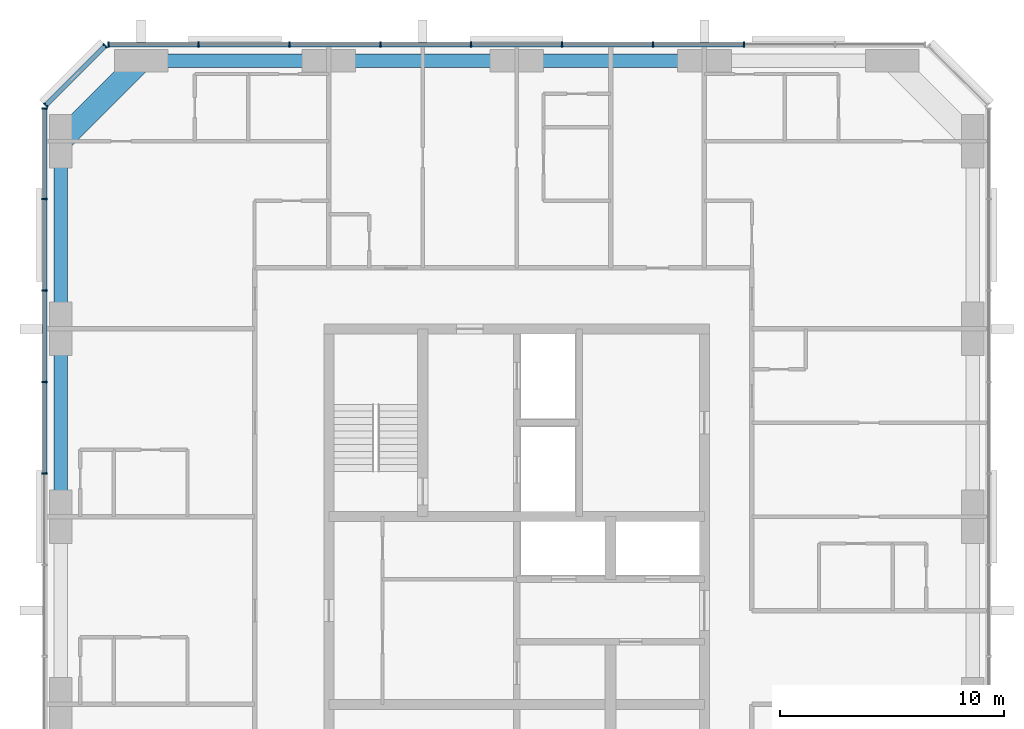
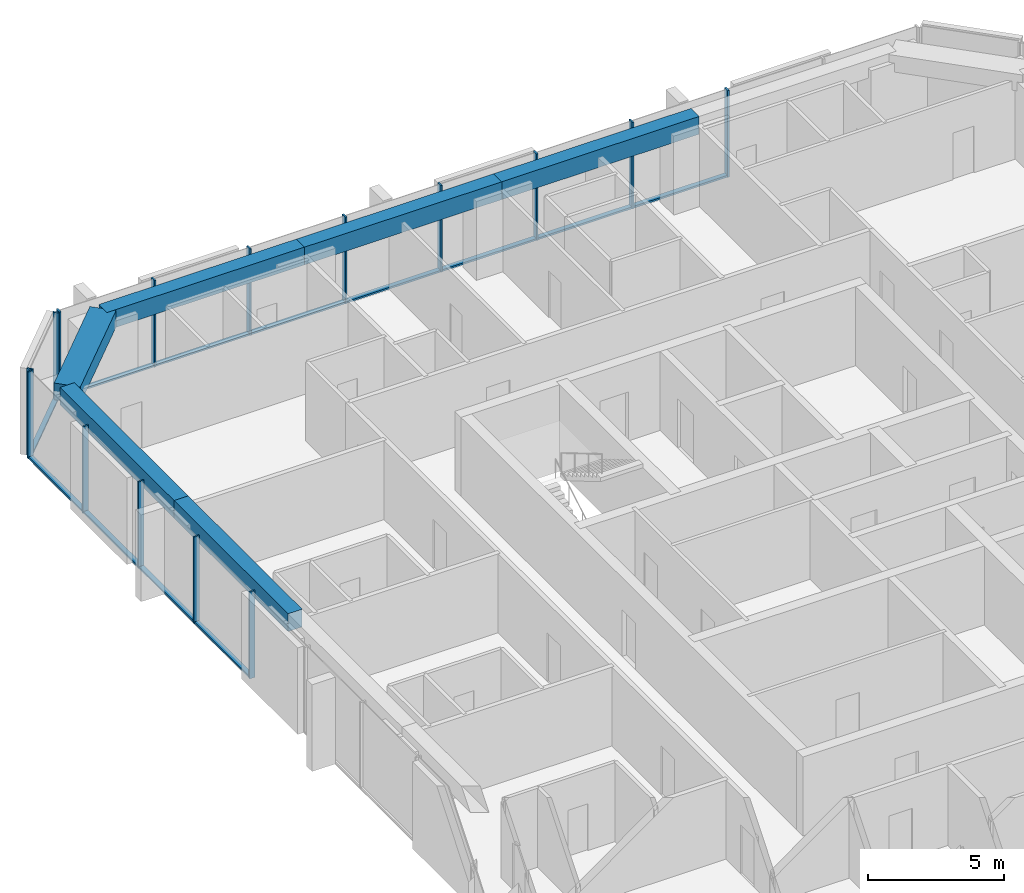
# One storey, part 4 of 12: 27 members, 6 beams, 3 elements without a shape of their own.
"""IFC4 building model written with IfcOpenShell, lengths in metres."""

from ifc_helpers import new_model, si_unit, direction, frame, origin, origin_2d, place, context, subcontext, project, spatial, rectangle, extrude, material, material_profile, profile_set, type_object, element, aggregate, save


model = new_model("IFC4")

# Units and contexts
model_context = context("Model", 3, precision=1e-05, world=origin(), true_north=direction((0.0, 1.0)))
body_context = subcontext(model_context, "Body", "Model", "MODEL_VIEW")
ifc_project = project(units=[si_unit("LENGTHUNIT", "METRE"), si_unit("AREAUNIT", "SQUARE_METRE"), si_unit("VOLUMEUNIT", "CUBIC_METRE"), si_unit("PLANEANGLEUNIT", "RADIAN"), si_unit("MASSUNIT", "GRAM", prefix="KILO")], contexts=[model_context])

# Site, building, storey
site_placement = place(None, origin())
site = spatial("IfcSite", under=ifc_project, at=site_placement, CompositionType="ELEMENT")
building_placement = place(site_placement, origin())
building = spatial("IfcBuilding", under=site, at=building_placement, Name="Dunama Terrace Hotel", CompositionType="ELEMENT")
storey_placement = place(building_placement, frame((0.0, 0.0, 249.0)))
storey = spatial("IfcBuildingStorey", under=building, at=storey_placement, Name="L64", CompositionType="ELEMENT", Elevation=249.0)

# Curtain wall, members
ifc_material_1 = material(Name="Aluminium curtain wall system", Category="aluminium")
curtain_wall_type = type_object("IfcCurtainWallType", Name="Unitised fritted glass wall CW-D", PredefinedType="NOTDEFINED", material=ifc_material_1)
curtain_wall_1_placement = place(storey_placement, origin())
curtain_wall_1 = element("IfcCurtainWall", 1, at=curtain_wall_1_placement, inside=storey, type_object=curtain_wall_type, Name="Unitised fritted glass wall CW-D L64", PredefinedType="NOTDEFINED")
ifc_material_2 = material(Name="Aluminium mullion", Category="aluminium")
ifc_material_profile_1 = material_profile(ifc_material_2, rectangle(XDim=0.070068359375, YDim=0.239990234375, at=origin_2d()), Name="CWD MULLION 70X240")
ifc_profile_set_1 = profile_set([ifc_material_profile_1], Name="Aluminium mullion")
member_type_1 = type_object("IfcMemberType", Name="CWD mullion 70x240", PredefinedType="MULLION", material=ifc_profile_set_1)
member_1_placement = place(storey_placement, frame((43.76708984375, 54.719970703125, 0.0), z_axis=(0.0, 0.0, 1.0), x_axis=(-1.0, 0.0, 0.0)))
member_1 = element("IfcMember", 2, at=member_1_placement, type_object=member_type_1, Name="CWD mullion", PredefinedType="MULLION", context=body_context, shape_type="SweptSolid", body=[
    extrude(rectangle(XDim=0.070068359375, YDim=0.239990234375, at=origin_2d()), origin(), (0.0, 0.0, 1.0), 3.89990234375),
])
member_2_placement = place(storey_placement, frame((39.699951171875, 54.719970703125, 0.0), z_axis=(0.0, 0.0, 1.0), x_axis=(-1.0, 0.0, 0.0)))
member_2 = element("IfcMember", 3, at=member_2_placement, type_object=member_type_1, Name="CWD mullion", PredefinedType="MULLION", context=body_context, shape_type="SweptSolid", body=[
    extrude(rectangle(XDim=0.070068359375, YDim=0.239990234375, at=origin_2d()), origin(), (0.0, 0.0, 1.0), 3.89990234375),
])
member_3_placement = place(storey_placement, frame((35.633056640625, 54.719970703125, 0.0), z_axis=(0.0, 0.0, 1.0), x_axis=(-1.0, 0.0, 0.0)))
member_3 = element("IfcMember", 4, at=member_3_placement, type_object=member_type_1, Name="CWD mullion", PredefinedType="MULLION", context=body_context, shape_type="SweptSolid", body=[
    extrude(rectangle(XDim=0.070068359375, YDim=0.239990234375, at=origin_2d()), origin(), (0.0, 0.0, 1.0), 3.89990234375),
])
member_4_placement = place(storey_placement, frame((31.56689453125, 54.719970703125, 0.0), z_axis=(0.0, 0.0, 1.0), x_axis=(-1.0, 0.0, 0.0)))
member_4 = element("IfcMember", 5, at=member_4_placement, type_object=member_type_1, Name="CWD mullion", PredefinedType="MULLION", context=body_context, shape_type="SweptSolid", body=[
    extrude(rectangle(XDim=0.070068359375, YDim=0.239990234375, at=origin_2d()), origin(), (0.0, 0.0, 1.0), 3.89990234375),
])
member_5_placement = place(storey_placement, frame((27.5, 54.719970703125, 0.0), z_axis=(0.0, 0.0, 1.0), x_axis=(-1.0, 0.0, 0.0)))
member_5 = element("IfcMember", 6, at=member_5_placement, type_object=member_type_1, Name="CWD mullion", PredefinedType="MULLION", context=body_context, shape_type="SweptSolid", body=[
    extrude(rectangle(XDim=0.070068359375, YDim=0.239990234375, at=origin_2d()), origin(), (0.0, 0.0, 1.0), 3.89990234375),
])
member_6_placement = place(storey_placement, frame((23.43310546875, 54.719970703125, 0.0), z_axis=(0.0, 0.0, 1.0), x_axis=(-1.0, 0.0, 0.0)))
member_6 = element("IfcMember", 7, at=member_6_placement, type_object=member_type_1, Name="CWD mullion", PredefinedType="MULLION", context=body_context, shape_type="SweptSolid", body=[
    extrude(rectangle(XDim=0.070068359375, YDim=0.239990234375, at=origin_2d()), origin(), (0.0, 0.0, 1.0), 3.89990234375),
])
member_7_placement = place(storey_placement, frame((19.366943359375, 54.719970703125, 0.0), z_axis=(0.0, 0.0, 1.0), x_axis=(-1.0, 0.0, 0.0)))
member_7 = element("IfcMember", 8, at=member_7_placement, type_object=member_type_1, Name="CWD mullion", PredefinedType="MULLION", context=body_context, shape_type="SweptSolid", body=[
    extrude(rectangle(XDim=0.070068359375, YDim=0.239990234375, at=origin_2d()), origin(), (0.0, 0.0, 1.0), 3.89990234375),
])
member_8_placement = place(storey_placement, frame((15.3349609375, 54.719970703125, 0.0), z_axis=(0.0, 0.0, 1.0), x_axis=(-1.0, 0.0, 0.0)))
member_8 = element("IfcMember", 9, at=member_8_placement, type_object=member_type_1, Name="CWD mullion", PredefinedType="MULLION", context=body_context, shape_type="SweptSolid", body=[
    extrude(rectangle(XDim=0.070068359375, YDim=0.239990234375, at=origin_2d()), origin(), (0.0, 0.0, 1.0), 3.89990234375),
])

curtain_wall_2_placement = place(storey_placement, origin())
curtain_wall_2 = element("IfcCurtainWall", 10, at=curtain_wall_2_placement, inside=storey, type_object=curtain_wall_type, Name="Unitised fritted glass wall CW-D L64", PredefinedType="NOTDEFINED")
member_9_placement = place(storey_placement, frame((15.18994140625, 54.659912109375, 0.0), z_axis=(0.0, 0.0, 1.0), x_axis=(-0.707106781187, -0.707106781187, 0.0)))
member_9 = element("IfcMember", 11, at=member_9_placement, type_object=member_type_1, Name="CWD mullion", PredefinedType="MULLION", context=body_context, shape_type="SweptSolid", body=[
    extrude(rectangle(XDim=0.070068359375, YDim=0.239990234375, at=origin_2d()), origin(), (0.0, 0.0, 1.0), 3.89990234375),
])
member_10_placement = place(storey_placement, frame((12.5400390625, 52.010009765625, 0.0), z_axis=(0.0, 0.0, 1.0), x_axis=(-0.707106781187, -0.707106781187, 0.0)))
member_10 = element("IfcMember", 12, at=member_10_placement, type_object=member_type_1, Name="CWD mullion", PredefinedType="MULLION", context=body_context, shape_type="SweptSolid", body=[
    extrude(rectangle(XDim=0.070068359375, YDim=0.239990234375, at=origin_2d()), origin(), (0.0, 0.0, 1.0), 3.89990234375),
])

curtain_wall_3_placement = place(storey_placement, origin())
curtain_wall_3 = element("IfcCurtainWall", 13, at=curtain_wall_3_placement, inside=storey, type_object=curtain_wall_type, Name="Unitised fritted glass wall CW-D L64", PredefinedType="NOTDEFINED")
member_11_placement = place(storey_placement, frame((12.47998046875, 51.864990234375, 0.0), z_axis=(0.0, 0.0, 1.0), x_axis=(0.0, -1.0, 0.0)))
member_11 = element("IfcMember", 14, at=member_11_placement, type_object=member_type_1, Name="CWD mullion", PredefinedType="MULLION", context=body_context, shape_type="SweptSolid", body=[
    extrude(rectangle(XDim=0.070068359375, YDim=0.239990234375, at=origin_2d()), origin(), (0.0, 0.0, 1.0), 3.89990234375),
])
member_12_placement = place(storey_placement, frame((12.47998046875, 47.80908203125, 0.0), z_axis=(0.0, 0.0, 1.0), x_axis=(0.0, -1.0, 0.0)))
member_12 = element("IfcMember", 15, at=member_12_placement, type_object=member_type_1, Name="CWD mullion", PredefinedType="MULLION", context=body_context, shape_type="SweptSolid", body=[
    extrude(rectangle(XDim=0.070068359375, YDim=0.239990234375, at=origin_2d()), origin(), (0.0, 0.0, 1.0), 3.89990234375),
])
member_13_placement = place(storey_placement, frame((12.47998046875, 43.718017578125, 0.0), z_axis=(0.0, 0.0, 1.0), x_axis=(0.0, -1.0, 0.0)))
member_13 = element("IfcMember", 16, at=member_13_placement, type_object=member_type_1, Name="CWD mullion", PredefinedType="MULLION", context=body_context, shape_type="SweptSolid", body=[
    extrude(rectangle(XDim=0.070068359375, YDim=0.239990234375, at=origin_2d()), origin(), (0.0, 0.0, 1.0), 3.89990234375),
])
member_14_placement = place(storey_placement, frame((12.47998046875, 39.626953125, 0.0), z_axis=(0.0, 0.0, 1.0), x_axis=(0.0, -1.0, 0.0)))
member_14 = element("IfcMember", 17, at=member_14_placement, type_object=member_type_1, Name="CWD mullion", PredefinedType="MULLION", context=body_context, shape_type="SweptSolid", body=[
    extrude(rectangle(XDim=0.070068359375, YDim=0.239990234375, at=origin_2d()), origin(), (0.0, 0.0, 1.0), 3.89990234375),
])
member_15_placement = place(storey_placement, frame((12.47998046875, 35.535888671875, 0.0), z_axis=(0.0, 0.0, 1.0), x_axis=(0.0, -1.0, 0.0)))
member_15 = element("IfcMember", 18, at=member_15_placement, type_object=member_type_1, Name="CWD mullion", PredefinedType="MULLION", context=body_context, shape_type="SweptSolid", body=[
    extrude(rectangle(XDim=0.070068359375, YDim=0.239990234375, at=origin_2d()), origin(), (0.0, 0.0, 1.0), 3.89990234375),
])

# Member
ifc_material_3 = material(Name="Aluminium transom", Category="aluminium")
ifc_material_profile_2 = material_profile(ifc_material_3, rectangle(XDim=0.199951171875, YDim=0.0849609375, at=origin_2d()), Name="CWD TRANSOM 200X85")
ifc_profile_set_2 = profile_set([ifc_material_profile_2], Name="Aluminium transom")
member_type_2 = type_object("IfcMemberType", Name="CWD transom 200x85", PredefinedType="USERDEFINED", material=ifc_profile_set_2)
member_16_placement = place(storey_placement, frame((43.73193359375, 54.719970703125, 0.04248046875), z_axis=(-1.0, 0.0, 0.0), x_axis=(0.0, -1.0, 0.0)))
member_16 = element("IfcMember", 19, at=member_16_placement, type_object=member_type_2, Name="CWD transom", ObjectType="TRANSOM", PredefinedType="USERDEFINED", context=body_context, shape_type="SweptSolid", body=[
    extrude(rectangle(XDim=0.199951171875, YDim=0.0849609375, at=origin_2d()), origin(), (0.0, 0.0, 1.0), 3.996826171875),
])

member_17_placement = place(storey_placement, frame((39.6650390625, 54.719970703125, 0.04248046875), z_axis=(-1.0, 0.0, 0.0), x_axis=(0.0, -1.0, 0.0)))
member_17 = element("IfcMember", 20, at=member_17_placement, type_object=member_type_2, Name="CWD transom", ObjectType="TRANSOM", PredefinedType="USERDEFINED", context=body_context, shape_type="SweptSolid", body=[
    extrude(rectangle(XDim=0.199951171875, YDim=0.0849609375, at=origin_2d()), origin(), (0.0, 0.0, 1.0), 3.9970703125),
])

member_18_placement = place(storey_placement, frame((35.597900390625, 54.719970703125, 0.04248046875), z_axis=(-1.0, 0.0, 0.0), x_axis=(0.0, -1.0, 0.0)))
member_18 = element("IfcMember", 21, at=member_18_placement, type_object=member_type_2, Name="CWD transom", ObjectType="TRANSOM", PredefinedType="USERDEFINED", context=body_context, shape_type="SweptSolid", body=[
    extrude(rectangle(XDim=0.199951171875, YDim=0.0849609375, at=origin_2d()), origin(), (0.0, 0.0, 1.0), 3.995849609375),
])

member_19_placement = place(storey_placement, frame((31.531982421875, 54.719970703125, 0.04248046875), z_axis=(-1.0, 0.0, 0.0), x_axis=(0.0, -1.0, 0.0)))
member_19 = element("IfcMember", 22, at=member_19_placement, type_object=member_type_2, Name="CWD transom", ObjectType="TRANSOM", PredefinedType="USERDEFINED", context=body_context, shape_type="SweptSolid", body=[
    extrude(rectangle(XDim=0.199951171875, YDim=0.0849609375, at=origin_2d()), origin(), (0.0, 0.0, 1.0), 3.9970703125),
])

member_20_placement = place(storey_placement, frame((27.465087890625, 54.719970703125, 0.04248046875), z_axis=(-1.0, 0.0, 0.0), x_axis=(0.0, -1.0, 0.0)))
member_20 = element("IfcMember", 23, at=member_20_placement, type_object=member_type_2, Name="CWD transom", ObjectType="TRANSOM", PredefinedType="USERDEFINED", context=body_context, shape_type="SweptSolid", body=[
    extrude(rectangle(XDim=0.199951171875, YDim=0.0849609375, at=origin_2d()), origin(), (0.0, 0.0, 1.0), 3.9970703125),
])

member_21_placement = place(storey_placement, frame((23.39794921875, 54.719970703125, 0.04248046875), z_axis=(-1.0, 0.0, 0.0), x_axis=(0.0, -1.0, 0.0)))
member_21 = element("IfcMember", 24, at=member_21_placement, type_object=member_type_2, Name="CWD transom", ObjectType="TRANSOM", PredefinedType="USERDEFINED", context=body_context, shape_type="SweptSolid", body=[
    extrude(rectangle(XDim=0.199951171875, YDim=0.0849609375, at=origin_2d()), origin(), (0.0, 0.0, 1.0), 3.995849609375),
])

member_22_placement = place(storey_placement, frame((19.33203125, 54.719970703125, 0.04248046875), z_axis=(-1.0, 0.0, 0.0), x_axis=(0.0, -1.0, 0.0)))
member_22 = element("IfcMember", 25, at=member_22_placement, type_object=member_type_2, Name="CWD transom", ObjectType="TRANSOM", PredefinedType="USERDEFINED", context=body_context, shape_type="SweptSolid", body=[
    extrude(rectangle(XDim=0.199951171875, YDim=0.0849609375, at=origin_2d()), origin(), (0.0, 0.0, 1.0), 3.9619140625),
])

aggregate(curtain_wall_1, [member_1, member_2, member_3, member_4, member_5, member_6, member_7, member_8, member_16, member_17, member_18, member_19, member_20, member_21, member_22])

member_23_placement = place(storey_placement, frame((15.166015625, 54.635009765625, 0.04248046875), z_axis=(-0.707106781187, -0.707106781187, 0.0), x_axis=(0.707106781187, -0.707106781187, 0.0)))
member_23 = element("IfcMember", 26, at=member_23_placement, type_object=member_type_2, Name="CWD transom", ObjectType="TRANSOM", PredefinedType="USERDEFINED", context=body_context, shape_type="SweptSolid", body=[
    extrude(rectangle(XDim=0.199951171875, YDim=0.0849609375, at=origin_2d()), origin(), (0.0, 0.0, 1.0), 3.678466796875),
])

aggregate(curtain_wall_2, [member_9, member_10, member_23])

member_24_placement = place(storey_placement, frame((12.47998046875, 51.830078125, 0.04248046875), z_axis=(0.0, -1.0, 0.0), x_axis=(1.0, 0.0, 0.0)))
member_24 = element("IfcMember", 27, at=member_24_placement, type_object=member_type_2, Name="CWD transom", ObjectType="TRANSOM", PredefinedType="USERDEFINED", context=body_context, shape_type="SweptSolid", body=[
    extrude(rectangle(XDim=0.199951171875, YDim=0.0849609375, at=origin_2d()), origin(), (0.0, 0.0, 1.0), 3.986083984375),
])

member_25_placement = place(storey_placement, frame((12.47998046875, 47.77392578125, 0.04248046875), z_axis=(0.0, -1.0, 0.0), x_axis=(1.0, 0.0, 0.0)))
member_25 = element("IfcMember", 28, at=member_25_placement, type_object=member_type_2, Name="CWD transom", ObjectType="TRANSOM", PredefinedType="USERDEFINED", context=body_context, shape_type="SweptSolid", body=[
    extrude(rectangle(XDim=0.199951171875, YDim=0.0849609375, at=origin_2d()), origin(), (0.0, 0.0, 1.0), 4.02099609375),
])

member_26_placement = place(storey_placement, frame((12.47998046875, 43.68310546875, 0.04248046875), z_axis=(0.0, -1.0, 0.0), x_axis=(1.0, 0.0, 0.0)))
member_26 = element("IfcMember", 29, at=member_26_placement, type_object=member_type_2, Name="CWD transom", ObjectType="TRANSOM", PredefinedType="USERDEFINED", context=body_context, shape_type="SweptSolid", body=[
    extrude(rectangle(XDim=0.199951171875, YDim=0.0849609375, at=origin_2d()), origin(), (0.0, 0.0, 1.0), 4.02099609375),
])

member_27_placement = place(storey_placement, frame((12.47998046875, 39.592041015625, 0.04248046875), z_axis=(0.0, -1.0, 0.0), x_axis=(1.0, 0.0, 0.0)))
member_27 = element("IfcMember", 30, at=member_27_placement, type_object=member_type_2, Name="CWD transom", ObjectType="TRANSOM", PredefinedType="USERDEFINED", context=body_context, shape_type="SweptSolid", body=[
    extrude(rectangle(XDim=0.199951171875, YDim=0.0849609375, at=origin_2d()), origin(), (0.0, 0.0, 1.0), 4.02099609375),
])

aggregate(curtain_wall_3, [member_11, member_12, member_13, member_14, member_15, member_24, member_25, member_26, member_27])

# Beams
ifc_material_4 = material(Name="Concrete C50/60", Category="concrete")
ifc_material_profile_3 = material_profile(ifc_material_4, rectangle(XDim=1.0, YDim=0.75, at=origin_2d()), Name="RC 1000x750")
ifc_profile_set_3 = profile_set([ifc_material_profile_3], Name="Concrete C50/60")
beam_type_1 = type_object("IfcBeamType", Name="Edge beam RC 1000x750", PredefinedType="SPANDREL", material=ifc_profile_set_3)
beam_1_placement = place(storey_placement, frame((16.800048828125, 54.0, 3.52490234375), z_axis=(-0.707106781187, -0.707106781187, 0.0), x_axis=(0.707106781187, -0.707106781187, 0.0)))
element("IfcBeam", 31, at=beam_1_placement, inside=storey, type_object=beam_type_1, Name="Corner edge beam under L65", PredefinedType="SPANDREL", context=body_context, shape_type="SweptSolid", body=[
    extrude(rectangle(XDim=1.0, YDim=0.75, at=origin_2d()), origin(), (0.0, 0.0, 1.0), 5.09130859375),
])
ifc_material_5 = material(Name="Concrete C40/50", Category="concrete")
ifc_material_profile_4 = material_profile(ifc_material_5, rectangle(XDim=0.60009765625, YDim=0.800048828125, at=origin_2d()), Name="RC 600x800")
ifc_profile_set_4 = profile_set([ifc_material_profile_4], Name="Concrete C40/50")
beam_type_2 = type_object("IfcBeamType", Name="Edge beam RC 600x800", PredefinedType="SPANDREL", material=ifc_profile_set_4)
for number, where, z_axis, x_axis, name in (
    (32, (13.199951171875, 33.60009765625, 3.5), (0.0, 1.0, 0.0), (-1.0, 0.0, 0.0), "Edge beam under L65"),
    (33, (13.199951171875, 42.0, 3.5), (0.0, 1.0, 0.0), (-1.0, 0.0, 0.0), "Edge beam under L65"),
    (34, (16.800048828125, 54.0, 3.5), (1.0, 0.0, 0.0), (0.0, 1.0, 0.0), "Edge beam under L65"),
):
    element("IfcBeam", number, at=place(storey_placement, frame(where, z_axis=z_axis, x_axis=x_axis)), inside=storey, type_object=beam_type_2, Name=name, PredefinedType="SPANDREL", context=body_context, shape_type="SweptSolid", body=[
        extrude(rectangle(XDim=0.60009765625, YDim=0.800048828125, at=origin_2d()), origin(), (0.0, 0.0, 1.0), 8.39990234375),
    ])
beam_2_placement = place(storey_placement, frame((25.199951171875, 54.0, 3.5), z_axis=(1.0, 0.0, 0.0), x_axis=(0.0, 1.0, 0.0)))
element("IfcBeam", 35, at=beam_2_placement, inside=storey, type_object=beam_type_2, Name="Edge beam under L65", PredefinedType="SPANDREL", context=body_context, shape_type="SweptSolid", body=[
    extrude(rectangle(XDim=0.60009765625, YDim=0.800048828125, at=origin_2d()), origin(), (0.0, 0.0, 1.0), 8.400146484375),
])
beam_3_placement = place(storey_placement, frame((33.60009765625, 54.0, 3.5), z_axis=(1.0, 0.0, 0.0), x_axis=(0.0, 1.0, 0.0)))
element("IfcBeam", 36, at=beam_3_placement, inside=storey, type_object=beam_type_2, Name="Edge beam under L65", PredefinedType="SPANDREL", context=body_context, shape_type="SweptSolid", body=[
    extrude(rectangle(XDim=0.60009765625, YDim=0.800048828125, at=origin_2d()), origin(), (0.0, 0.0, 1.0), 8.39990234375),
])

save(model, "model.ifc")
